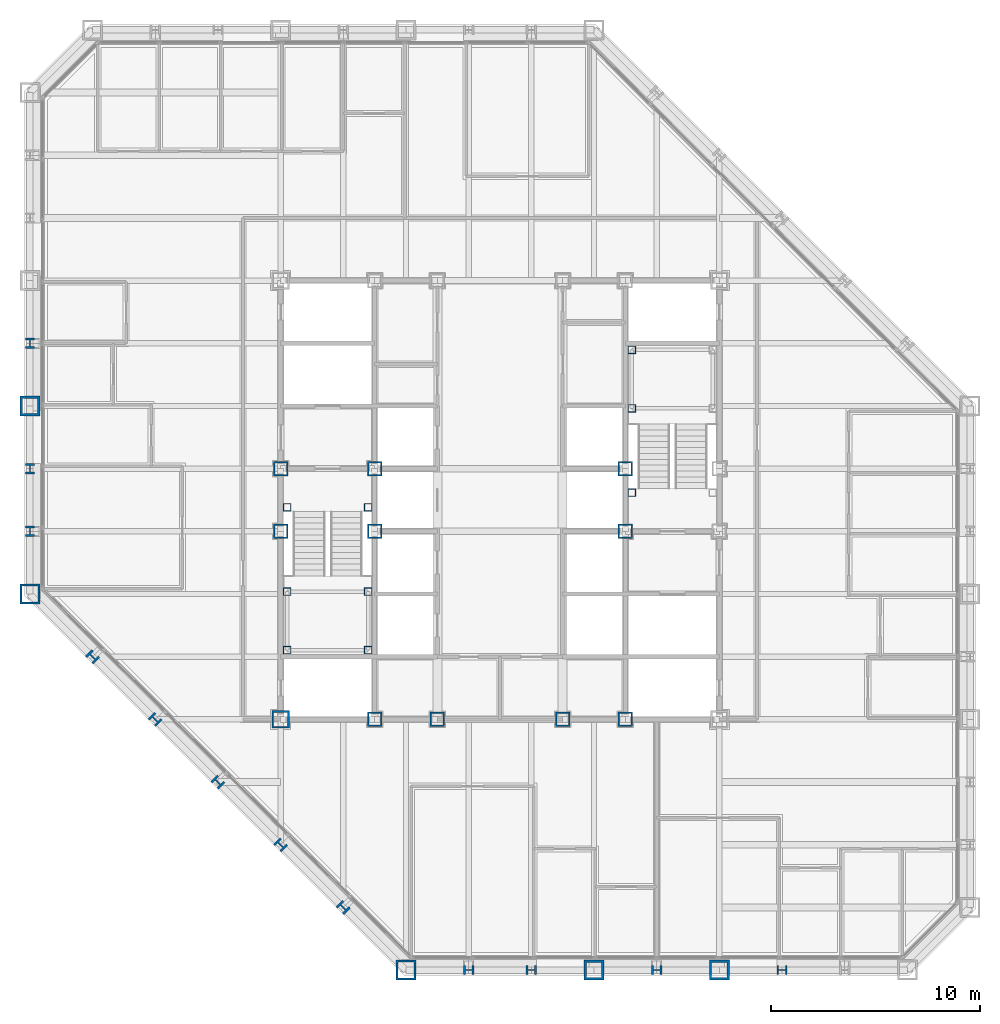
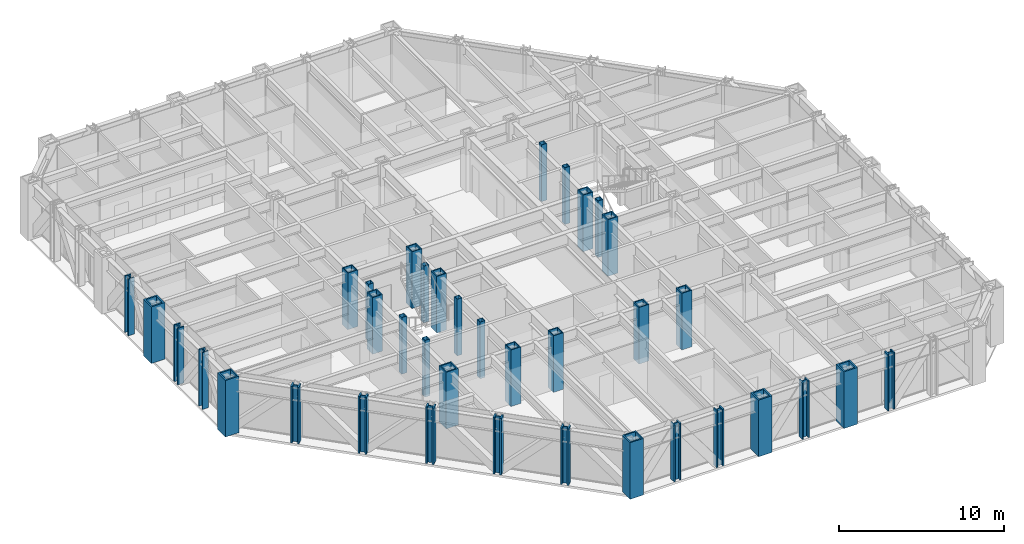
# One storey, part 1 of 16: 37 columns.
"""IFC4 building model written with IfcOpenShell, lengths in metres."""

from ifc_helpers import new_model, si_unit, direction, frame, origin, origin_2d, place, context, subcontext, project, spatial, hollow_rectangle, i_section, extrude, material, material_profile, profile_set, type_object, element, save


model = new_model("IFC4")

# Units and contexts
model_context = context("Model", 3, precision=1e-05, world=origin(), true_north=direction((0.0, 1.0)))
body_context = subcontext(model_context, "Body", "Model", "MODEL_VIEW")
ifc_project = project(units=[si_unit("LENGTHUNIT", "METRE"), si_unit("AREAUNIT", "SQUARE_METRE"), si_unit("VOLUMEUNIT", "CUBIC_METRE"), si_unit("PLANEANGLEUNIT", "RADIAN"), si_unit("MASSUNIT", "GRAM", prefix="KILO")], contexts=[model_context])

# Site, building, storey
site_placement = place(None, origin())
site = spatial("IfcSite", under=ifc_project, at=site_placement, CompositionType="ELEMENT")
building_placement = place(site_placement, origin())
building = spatial("IfcBuilding", under=site, at=building_placement, Name="Chuquiago Exchange Tower", CompositionType="ELEMENT")
storey_placement = place(building_placement, frame((0.0, 0.0, 127.800048828125)))
storey = spatial("IfcBuildingStorey", under=building, at=storey_placement, Name="L27", CompositionType="ELEMENT", Elevation=127.800048828125)

# Columns
ifc_material_1 = material(Name="Steel ASTM A992", Category="steel")
ifc_material_profile_1 = material_profile(ifc_material_1, i_section(OverallWidth=0.431884765625, OverallDepth=0.497802734375, WebThickness=0.0556640625, FlangeThickness=0.0888671875, at=origin_2d()), Name="W14X500")
ifc_profile_set_1 = profile_set([ifc_material_profile_1], Name="Steel ASTM A992")
column_type_1 = type_object("IfcColumnType", Name="C3 W14X500", PredefinedType="COLUMN", material=ifc_profile_set_1)
for number, where, z_axis, x_axis, name in (
    (1, (21.0, 0.0, 0.0), (0.0, 0.0, 1.0), (0.0, -1.0, 0.0), "COL-L27-21_0"),
    (2, (24.0, 0.0, 0.0), (0.0, 0.0, 1.0), (0.0, -1.0, 0.0), "COL-L27-24_0"),
    (3, (30.0, 0.0, 0.0), (0.0, 0.0, 1.0), (0.0, -1.0, 0.0), "COL-L27-30_0"),
    (4, (36.0, 0.0, 0.0), (0.0, 0.0, 1.0), (0.0, -1.0, 0.0), "COL-L27-36_0"),
    (5, (0.0, 30.0, 0.0), (0.0, 0.0, 1.0), (-1.0, 0.0, 0.0), "COL-L27-0_30"),
    (6, (0.0, 24.0, 0.0), (0.0, 0.0, 1.0), (-1.0, 0.0, 0.0), "COL-L27-0_24"),
    (7, (0.0, 21.0, 0.0), (0.0, 0.0, 1.0), (-1.0, 0.0, 0.0), "COL-L27-0_21"),
):
    element("IfcColumn", number, at=place(storey_placement, frame(where, z_axis=z_axis, x_axis=x_axis)), inside=storey, type_object=column_type_1, Name=name, PredefinedType="COLUMN", context=body_context, shape_type="SweptSolid", body=[
        extrude(i_section(OverallWidth=0.431884765625, OverallDepth=0.497802734375, WebThickness=0.0556640625, FlangeThickness=0.0888671875, at=origin_2d()), origin(), (0.0, 0.0, 1.0), 4.199951171875),
    ])
ifc_material_2 = material(Name="Steel ASTM A572 Grade 50", Category="steel")
ifc_material_profile_2 = material_profile(ifc_material_2, hollow_rectangle(XDim=0.699951171875, YDim=0.699951171875, WallThickness=0.070068359375, at=origin_2d()), Name="BOX700X700X70")
ifc_profile_set_2 = profile_set([ifc_material_profile_2], Name="Steel ASTM A572 Grade 50")
column_type_2 = type_object("IfcColumnType", Name="CC3 BOX700X700X70", PredefinedType="COLUMN", material=ifc_profile_set_2)
for number, where, z_axis, x_axis, name in (
    (8, (16.5, 12.0, 0.0), (0.0, 0.0, 1.0), (1.0, 0.0, 0.0), "CCOL-L27-16.5_12"),
    (9, (19.5, 12.0, 0.0), (0.0, 0.0, 1.0), (1.0, 0.0, 0.0), "CCOL-L27-19.5_12"),
    (10, (25.5, 12.0, 0.0), (0.0, 0.0, 1.0), (1.0, 0.0, 0.0), "CCOL-L27-25.5_12"),
    (11, (28.5, 12.0, 0.0), (0.0, 0.0, 1.0), (1.0, 0.0, 0.0), "CCOL-L27-28.5_12"),
    (12, (12.0, 21.0, 0.0), (0.0, 0.0, 1.0), (1.0, 0.0, 0.0), "CCOL-L27-12_21"),
    (13, (12.0, 24.0, 0.0), (0.0, 0.0, 1.0), (1.0, 0.0, 0.0), "CCOL-L27-12_24"),
    (14, (16.5, 21.0, 0.0), (0.0, 0.0, 1.0), (1.0, 0.0, 0.0), "CCOL-L27-16.5_21"),
    (15, (16.5, 24.0, 0.0), (0.0, 0.0, 1.0), (1.0, 0.0, 0.0), "CCOL-L27-16.5_24"),
    (16, (28.5, 21.0, 0.0), (0.0, 0.0, 1.0), (1.0, 0.0, 0.0), "CCOL-L27-28.5_21"),
    (17, (28.5, 24.0, 0.0), (0.0, 0.0, 1.0), (1.0, 0.0, 0.0), "CCOL-L27-28.5_24"),
):
    element("IfcColumn", number, at=place(storey_placement, frame(where, z_axis=z_axis, x_axis=x_axis)), inside=storey, type_object=column_type_2, Name=name, PredefinedType="COLUMN", context=body_context, shape_type="SweptSolid", body=[
        extrude(hollow_rectangle(XDim=0.699951171875, YDim=0.699951171875, WallThickness=0.070068359375, at=origin_2d()), origin(), (0.0, 0.0, 1.0), 4.199951171875),
    ])
ifc_material_3 = material(Name="Steel ASTM A572 Grade 50", Category="steel")
ifc_material_profile_3 = material_profile(ifc_material_3, hollow_rectangle(XDim=0.85009765625, YDim=0.85009765625, WallThickness=0.0849609375, at=origin_2d()), Name="BOX850X850X85")
ifc_profile_set_3 = profile_set([ifc_material_profile_3], Name="Steel ASTM A572 Grade 50")
column_type_3 = type_object("IfcColumnType", Name="CC6 BOX850X850X85", PredefinedType="COLUMN", material=ifc_profile_set_3)
column_placement = place(storey_placement, frame((12.0, 12.0, 0.0), z_axis=(0.0, 0.0, 1.0), x_axis=(1.0, 0.0, 0.0)))
element("IfcColumn", 18, at=column_placement, inside=storey, type_object=column_type_3, Name="CCOL-L27-12_12", PredefinedType="COLUMN", context=body_context, shape_type="SweptSolid", body=[
    extrude(hollow_rectangle(XDim=0.85009765625, YDim=0.85009765625, WallThickness=0.0849609375, at=origin_2d()), origin(), (0.0, 0.0, 1.0), 4.199951171875),
])
ifc_material_4 = material(Name="Steel ASTM A992", Category="steel")
ifc_material_profile_4 = material_profile(ifc_material_4, i_section(OverallWidth=0.44189453125, OverallDepth=0.53076171875, WebThickness=0.06591796875, FlangeThickness=0.105712890625, at=origin_2d()), Name="W14X605")
ifc_profile_set_4 = profile_set([ifc_material_profile_4], Name="Steel ASTM A992")
column_type_4 = type_object("IfcColumnType", Name="CK3 W14X605", PredefinedType="COLUMN", material=ifc_profile_set_4)
for number, where, z_axis, x_axis, name in (
    (19, (3.0, 15.0, 0.0), (0.0, 0.0, 1.0), (-0.707106781187, -0.707106781187, 0.0), "COL-L27-3_15"),
    (20, (6.0, 12.0, 0.0), (0.0, 0.0, 1.0), (-0.707106781187, -0.707106781187, 0.0), "COL-L27-6_12"),
    (21, (9.0, 9.0, 0.0), (0.0, 0.0, 1.0), (-0.707106781187, -0.707106781187, 0.0), "COL-L27-9_9"),
    (22, (12.0, 6.0, 0.0), (0.0, 0.0, 1.0), (-0.707106781187, -0.707106781187, 0.0), "COL-L27-12_6"),
    (23, (15.0, 3.0, 0.0), (0.0, 0.0, 1.0), (-0.707106781187, -0.707106781187, 0.0), "COL-L27-15_3"),
):
    element("IfcColumn", number, at=place(storey_placement, frame(where, z_axis=z_axis, x_axis=x_axis)), inside=storey, type_object=column_type_4, Name=name, PredefinedType="COLUMN", context=body_context, shape_type="SweptSolid", body=[
        extrude(i_section(OverallWidth=0.44189453125, OverallDepth=0.53076171875, WebThickness=0.06591796875, FlangeThickness=0.105712890625, at=origin_2d()), origin(), (0.0, 0.0, 1.0), 4.199951171875),
    ])
ifc_material_5 = material(Name="Steel ASTM A572 Grade 50", Category="steel")
ifc_material_profile_5 = material_profile(ifc_material_5, hollow_rectangle(XDim=0.949951171875, YDim=0.949951171875, WallThickness=0.094970703125, at=origin_2d()), Name="BOX950X950X95")
ifc_profile_set_5 = profile_set([ifc_material_profile_5], Name="Steel ASTM A572 Grade 50")
column_type_5 = type_object("IfcColumnType", Name="CN1 BOX950X950X95", PredefinedType="COLUMN", material=ifc_profile_set_5)
for number, where, z_axis, x_axis, name in (
    (24, (18.0, 0.0, 0.0), (0.0, 0.0, 1.0), (0.0, -1.0, 0.0), "COL-L27-18_0"),
    (25, (0.0, 18.0, 0.0), (0.0, 0.0, 1.0), (-1.0, 0.0, 0.0), "COL-L27-0_18"),
):
    element("IfcColumn", number, at=place(storey_placement, frame(where, z_axis=z_axis, x_axis=x_axis)), inside=storey, type_object=column_type_5, Name=name, PredefinedType="COLUMN", context=body_context, shape_type="SweptSolid", body=[
        extrude(hollow_rectangle(XDim=0.949951171875, YDim=0.949951171875, WallThickness=0.094970703125, at=origin_2d()), origin(), (0.0, 0.0, 1.0), 4.199951171875),
    ])
ifc_material_6 = material(Name="Steel ASTM A572 Grade 42", Category="steel")
ifc_material_profile_6 = material_profile(ifc_material_6, hollow_rectangle(XDim=0.949951171875, YDim=0.949951171875, WallThickness=0.110107421875, at=origin_2d()), Name="BOX950X950X110")
ifc_profile_set_6 = profile_set([ifc_material_profile_6], Name="Steel ASTM A572 Grade 42")
column_type_6 = type_object("IfcColumnType", Name="CT1 BOX950X950X110", PredefinedType="COLUMN", material=ifc_profile_set_6)
for number, where, z_axis, x_axis, name in (
    (26, (27.0, 0.0, 0.0), (0.0, 0.0, 1.0), (0.0, -1.0, 0.0), "COL-L27-27_0"),
    (27, (33.0, 0.0, 0.0), (0.0, 0.0, 1.0), (0.0, -1.0, 0.0), "COL-L27-33_0"),
    (28, (0.0, 27.0, 0.0), (0.0, 0.0, 1.0), (-1.0, 0.0, 0.0), "COL-L27-0_27"),
):
    element("IfcColumn", number, at=place(storey_placement, frame(where, z_axis=z_axis, x_axis=x_axis)), inside=storey, type_object=column_type_6, Name=name, PredefinedType="COLUMN", context=body_context, shape_type="SweptSolid", body=[
        extrude(hollow_rectangle(XDim=0.949951171875, YDim=0.949951171875, WallThickness=0.110107421875, at=origin_2d()), origin(), (0.0, 0.0, 1.0), 4.199951171875),
    ])
ifc_material_7 = material(Name="Steel ASTM A500 Grade C", Category="steel")
ifc_material_profile_7 = material_profile(ifc_material_7, hollow_rectangle(XDim=0.355712890625, YDim=0.355712890625, WallThickness=0.0146484375, at=origin_2d()), Name="HSS14X14X5/8")
ifc_profile_set_7 = profile_set([ifc_material_profile_7], Name="Steel ASTM A500 Grade C")
column_type_7 = type_object("IfcColumnType", Name="PT2 HSS14X14X5/8", PredefinedType="COLUMN", material=ifc_profile_set_7)
for number, where, z_axis, x_axis, name in (
    (29, (12.31005859375, 15.31005859375, 0.0), (0.0, 0.0, 1.0), (1.0, 0.0, 0.0), "Stair ST1 L27 landing post"),
    (30, (16.18994140625, 15.31005859375, 0.0), (0.0, 0.0, 1.0), (1.0, 0.0, 0.0), "Stair ST1 L27 landing post"),
    (31, (12.31005859375, 18.110107421875, 0.0), (0.0, 0.0, 1.0), (1.0, 0.0, 0.0), "Stair ST1 L27 landing post"),
    (32, (16.18994140625, 18.110107421875, 0.0), (0.0, 0.0, 1.0), (1.0, 0.0, 0.0), "Stair ST1 L27 landing post"),
    (33, (12.31005859375, 22.14990234375, 0.0), (0.0, 0.0, 1.0), (1.0, 0.0, 0.0), "Stair ST1 L27 landing post"),
    (34, (16.18994140625, 22.14990234375, 0.0), (0.0, 0.0, 1.0), (1.0, 0.0, 0.0), "Stair ST1 L27 landing post"),
    (35, (28.81005859375, 29.68994140625, 0.0), (0.0, 0.0, 1.0), (1.0, 0.0, 0.0), "Stair ST2 L27 landing post"),
    (36, (28.81005859375, 26.889892578125, 0.0), (0.0, 0.0, 1.0), (1.0, 0.0, 0.0), "Stair ST2 L27 landing post"),
    (37, (28.81005859375, 22.85009765625, 0.0), (0.0, 0.0, 1.0), (1.0, 0.0, 0.0), "Stair ST2 L27 landing post"),
):
    element("IfcColumn", number, at=place(storey_placement, frame(where, z_axis=z_axis, x_axis=x_axis)), inside=storey, type_object=column_type_7, Name=name, PredefinedType="COLUMN", context=body_context, shape_type="SweptSolid", body=[
        extrude(hollow_rectangle(XDim=0.355712890625, YDim=0.355712890625, WallThickness=0.0146484375, at=origin_2d()), origin(), (0.0, 0.0, 1.0), 4.199951171875),
    ])

save(model, "model.ifc")
